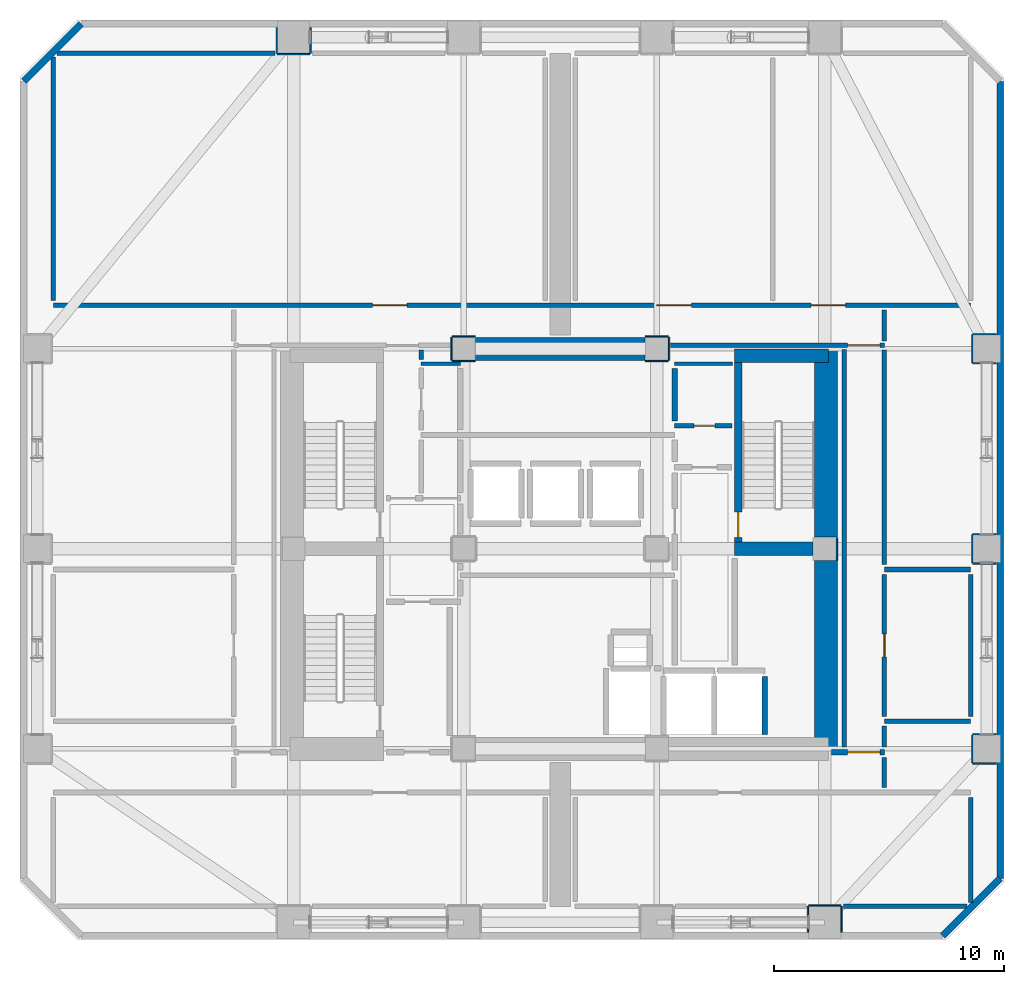
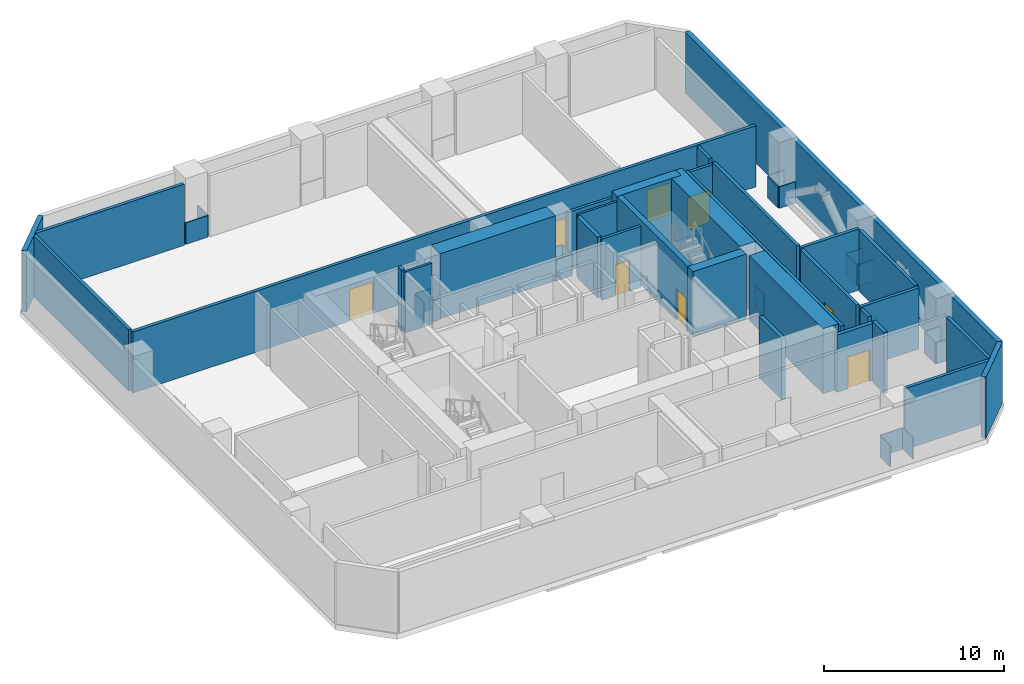
# One storey, part 9 of 11: 53 walls, 8 doors, 8 openings.
"""IFC4 building model written with IfcOpenShell, lengths in metres."""

from ifc_helpers import new_model, si_unit, direction, frame, frame_2d, origin, place, context, subcontext, project, spatial, rectangle, extrude, material, layer, layer_set, type_object, element, fill, save


model = new_model("IFC4")

# Units and contexts
model_context = context("Model", 3, precision=1e-05, world=origin(), true_north=direction((0.0, 1.0)))
body_context = subcontext(model_context, "Body", "Model", "MODEL_VIEW")
ifc_project = project(units=[si_unit("LENGTHUNIT", "METRE"), si_unit("AREAUNIT", "SQUARE_METRE"), si_unit("VOLUMEUNIT", "CUBIC_METRE"), si_unit("PLANEANGLEUNIT", "RADIAN"), si_unit("MASSUNIT", "GRAM", prefix="KILO")], contexts=[model_context])

# Site, building, storey
site_placement = place(None, origin())
site = spatial("IfcSite", under=ifc_project, at=site_placement, CompositionType="ELEMENT")
building_placement = place(site_placement, origin())
building = spatial("IfcBuilding", under=site, at=building_placement, Name="Solanera Arch Residences", CompositionType="ELEMENT")
storey_placement = place(building_placement, frame((0.0, 0.0, 88.39990234375)))
storey = spatial("IfcBuildingStorey", under=building, at=storey_placement, Name="L25", CompositionType="ELEMENT", Elevation=88.39990234375)

# Walls
ifc_material_1 = material(Name="Fire-Rated Gypsum Stud Partition", Category="gypsum")
ifc_layer_1 = layer(ifc_material_1, 0.06005859375)
ifc_layer_set_1 = layer_set([ifc_layer_1], Name="Fire-Rated Gypsum Stud Partition")
wall_type_1 = type_object("IfcWallType", Name="Column Acoustic Furring Wall 60", PredefinedType="PARTITIONING", material=ifc_layer_set_1)
for number, where, z_axis, x_axis, name in (
    (1, (20.300048828125, 38.867919921875, 0.0), (0.0, 0.0, 1.0), (1.0, 0.0, 0.0), "L25 Column Furring 3S"),
    (2, (20.300048828125, 39.931884765625, 0.0), (0.0, 0.0, 1.0), (1.0, 0.0, 0.0), "L25 Column Furring 3N"),
    (3, (20.26806640625, 38.89990234375, 0.0), (0.0, 0.0, 1.0), (0.0, 1.0, 0.0), "L25 Column Furring 3W"),
    (4, (28.699951171875, 38.867919921875, 0.0), (0.0, 0.0, 1.0), (1.0, 0.0, 0.0), "L25 Column Furring 4S"),
    (5, (28.699951171875, 39.931884765625, 0.0), (0.0, 0.0, 1.0), (1.0, 0.0, 0.0), "L25 Column Furring 4N"),
    (6, (29.73193359375, 38.89990234375, 0.0), (0.0, 0.0, 1.0), (0.0, 1.0, 0.0), "L25 Column Furring 4E"),
):
    element("IfcWall", number, at=place(storey_placement, frame(where, z_axis=z_axis, x_axis=x_axis)), inside=storey, type_object=wall_type_1, Name=name, PredefinedType="PARTITIONING", context=body_context, shape_type="SweptSolid", body=[
        extrude(rectangle(XDim=1.0, YDim=0.06005859375, at=frame_2d((0.5, 0.0))), origin(), (0.0, 0.0, 1.0), 1.4501953125),
    ])
wall_1_placement = place(storey_placement, frame((37.031982421875, 30.2099609375, 0.0), z_axis=(0.0, 0.0, 1.0), x_axis=(0.0, 1.0, 0.0)))
element("IfcWall", 7, at=wall_1_placement, inside=storey, type_object=wall_type_1, Name="L25 Column Furring 6E", PredefinedType="PARTITIONING", context=body_context, shape_type="SweptSolid", body=[
    extrude(rectangle(XDim=0.97998046875, YDim=0.06005859375, at=frame_2d((0.489990234375, 0.0))), origin(), (0.0, 0.0, 1.0), 1.4501953125),
])
wall_2_placement = place(storey_placement, frame((12.699951171875, 52.218017578125, 0.0), z_axis=(0.0, 0.0, 1.0), x_axis=(1.0, 0.0, 0.0)))
element("IfcWall", 8, at=wall_2_placement, inside=storey, type_object=wall_type_1, Name="L25 Column Furring 10S", PredefinedType="PARTITIONING", context=body_context, shape_type="SweptSolid", body=[
    extrude(rectangle(XDim=1.400146484375, YDim=0.06005859375, at=frame_2d((0.7001953125, 0.0))), origin(), (0.0, 0.0, 1.0), 1.4501953125),
])
for number, where, z_axis, x_axis, name in (
    (9, (12.66796875, 52.25, 0.0), (0.0, 0.0, 1.0), (0.0, 1.0, 0.0), "L25 Column Furring 10W"),
    (10, (14.132080078125, 52.25, 0.0), (0.0, 0.0, 1.0), (0.0, 1.0, 0.0), "L25 Column Furring 10E"),
):
    element("IfcWall", number, at=place(storey_placement, frame(where, z_axis=z_axis, x_axis=x_axis)), inside=storey, type_object=wall_type_1, Name=name, PredefinedType="PARTITIONING", context=body_context, shape_type="SweptSolid", body=[
        extrude(rectangle(XDim=1.1201171875, YDim=0.06005859375, at=frame_2d((0.56005859375, 0.0))), origin(), (0.0, 0.0, 1.0), 1.4501953125),
    ])
wall_3_placement = place(storey_placement, frame((35.800048828125, 15.181884765625, 0.0), z_axis=(0.0, 0.0, 1.0), x_axis=(1.0, 0.0, 0.0)))
element("IfcWall", 11, at=wall_3_placement, inside=storey, type_object=wall_type_1, Name="L25 Column Furring 15N", PredefinedType="PARTITIONING", context=body_context, shape_type="SweptSolid", body=[
    extrude(rectangle(XDim=1.39990234375, YDim=0.06005859375, at=frame_2d((0.699951171875, 0.0))), origin(), (0.0, 0.0, 1.0), 1.4501953125),
])
for number, where, z_axis, x_axis, name in (
    (12, (35.76806640625, 14.030029296875, 0.0), (0.0, 0.0, 1.0), (0.0, 1.0, 0.0), "L25 Column Furring 15W"),
    (13, (37.23193359375, 14.030029296875, 0.0), (0.0, 0.0, 1.0), (0.0, 1.0, 0.0), "L25 Column Furring 15E"),
):
    element("IfcWall", number, at=place(storey_placement, frame(where, z_axis=z_axis, x_axis=x_axis)), inside=storey, type_object=wall_type_1, Name=name, PredefinedType="PARTITIONING", context=body_context, shape_type="SweptSolid", body=[
        extrude(rectangle(XDim=1.119873046875, YDim=0.06005859375, at=frame_2d((0.56005859375, 0.0))), origin(), (0.0, 0.0, 1.0), 1.4501953125),
    ])
for number, where, z_axis, x_axis, name in (
    (14, (42.949951171875, 21.367919921875, 0.0), (0.0, 0.0, 1.0), (1.0, 0.0, 0.0), "L25 Column Furring 18S"),
    (15, (42.949951171875, 22.632080078125, 0.0), (0.0, 0.0, 1.0), (1.0, 0.0, 0.0), "L25 Column Furring 18N"),
):
    element("IfcWall", number, at=place(storey_placement, frame(where, z_axis=z_axis, x_axis=x_axis)), inside=storey, type_object=wall_type_1, Name=name, PredefinedType="PARTITIONING", context=body_context, shape_type="SweptSolid", body=[
        extrude(rectangle(XDim=1.02001953125, YDim=0.06005859375, at=frame_2d((0.510009765625, 0.0))), origin(), (0.0, 0.0, 1.0), 1.4501953125),
    ])
wall_4_placement = place(storey_placement, frame((42.91796875, 21.39990234375, 0.0), z_axis=(0.0, 0.0, 1.0), x_axis=(0.0, 1.0, 0.0)))
element("IfcWall", 16, at=wall_4_placement, inside=storey, type_object=wall_type_1, Name="L25 Column Furring 18W", PredefinedType="PARTITIONING", context=body_context, shape_type="SweptSolid", body=[
    extrude(rectangle(XDim=1.2001953125, YDim=0.06005859375, at=frame_2d((0.60009765625, 0.0))), origin(), (0.0, 0.0, 1.0), 1.4501953125),
])
for number, where, z_axis, x_axis, name in (
    (17, (42.949951171875, 30.068115234375, 0.0), (0.0, 0.0, 1.0), (1.0, 0.0, 0.0), "L25 Column Furring 20S"),
    (18, (42.949951171875, 31.33203125, 0.0), (0.0, 0.0, 1.0), (1.0, 0.0, 0.0), "L25 Column Furring 20N"),
):
    element("IfcWall", number, at=place(storey_placement, frame(where, z_axis=z_axis, x_axis=x_axis)), inside=storey, type_object=wall_type_1, Name=name, PredefinedType="PARTITIONING", context=body_context, shape_type="SweptSolid", body=[
        extrude(rectangle(XDim=1.02001953125, YDim=0.06005859375, at=frame_2d((0.510009765625, 0.0))), origin(), (0.0, 0.0, 1.0), 1.4501953125),
    ])
wall_5_placement = place(storey_placement, frame((42.91796875, 30.10009765625, 0.0), z_axis=(0.0, 0.0, 1.0), x_axis=(0.0, 1.0, 0.0)))
element("IfcWall", 19, at=wall_5_placement, inside=storey, type_object=wall_type_1, Name="L25 Column Furring 20W", PredefinedType="PARTITIONING", context=body_context, shape_type="SweptSolid", body=[
    extrude(rectangle(XDim=1.199951171875, YDim=0.06005859375, at=frame_2d((0.60009765625, 0.0))), origin(), (0.0, 0.0, 1.0), 1.4501953125),
])
for number, where, z_axis, x_axis, name in (
    (20, (42.949951171875, 38.76806640625, 0.0), (0.0, 0.0, 1.0), (1.0, 0.0, 0.0), "L25 Column Furring 22S"),
    (21, (42.949951171875, 40.031982421875, 0.0), (0.0, 0.0, 1.0), (1.0, 0.0, 0.0), "L25 Column Furring 22N"),
):
    element("IfcWall", number, at=place(storey_placement, frame(where, z_axis=z_axis, x_axis=x_axis)), inside=storey, type_object=wall_type_1, Name=name, PredefinedType="PARTITIONING", context=body_context, shape_type="SweptSolid", body=[
        extrude(rectangle(XDim=1.02001953125, YDim=0.06005859375, at=frame_2d((0.510009765625, 0.0))), origin(), (0.0, 0.0, 1.0), 1.4501953125),
    ])
wall_6_placement = place(storey_placement, frame((42.91796875, 38.800048828125, 0.0), z_axis=(0.0, 0.0, 1.0), x_axis=(0.0, 1.0, 0.0)))
element("IfcWall", 22, at=wall_6_placement, inside=storey, type_object=wall_type_1, Name="L25 Column Furring 22W", PredefinedType="PARTITIONING", context=body_context, shape_type="SweptSolid", body=[
    extrude(rectangle(XDim=1.199951171875, YDim=0.06005859375, at=frame_2d((0.60009765625, 0.0))), origin(), (0.0, 0.0, 1.0), 1.4501953125),
])
ifc_material_2 = material(Name="Concrete C55/67 (f'c = 60 MPa)", Category="concrete")
ifc_layer_2 = layer(ifc_material_2, 1.0)
ifc_layer_set_2 = layer_set([ifc_layer_2], Name="Concrete C55/67 (f'c = 60 MPa)")
wall_type_2 = type_object("IfcWallType", Name="Core Shear Wall CW-1000", PredefinedType="SHEAR", material=ifc_layer_set_2)
wall_7_placement = place(storey_placement, frame((36.56005859375, 22.0, 0.0), z_axis=(0.0, 0.0, 1.0), x_axis=(0.0, 1.0, 0.0)))
element("IfcWall", 23, at=wall_7_placement, inside=storey, type_object=wall_type_2, Name="L25 East Core South Shear Wall", PredefinedType="SHEAR", context=body_context, shape_type="SweptSolid", body=[
    extrude(rectangle(XDim=8.195068359375, YDim=1.0, at=frame_2d((4.09765625, 0.0))), origin(), (0.0, 0.0, 1.0), 4.400146484375),
])
wall_8_placement = place(storey_placement, frame((36.56005859375, 31.205078125, 0.0), z_axis=(0.0, 0.0, 1.0), x_axis=(0.0, 1.0, 0.0)))
element("IfcWall", 24, at=wall_8_placement, inside=storey, type_object=wall_type_2, Name="L25 East Core North Shear Wall", PredefinedType="SHEAR", context=body_context, shape_type="SweptSolid", body=[
    extrude(rectangle(XDim=8.19482421875, YDim=1.0, at=frame_2d((4.097412109375, 0.0))), origin(), (0.0, 0.0, 1.0), 4.400146484375),
])
wall_9_placement = place(storey_placement, frame((21.304931640625, 39.39990234375, 0.0), z_axis=(0.0, 0.0, 1.0), x_axis=(1.0, 0.0, 0.0)))
element("IfcWall", 25, at=wall_9_placement, inside=storey, type_object=wall_type_2, Name="L25 Central North Core Shear Wall", PredefinedType="SHEAR", context=body_context, shape_type="SweptSolid", body=[
    extrude(rectangle(XDim=7.39013671875, YDim=1.0, at=frame_2d((3.695068359375, 0.0))), origin(), (0.0, 0.0, 1.0), 4.400146484375),
])

# Wall, opening, door
ifc_material_3 = material(Name="Concrete C40/50 (f'c = 45 MPa)", Category="concrete")
ifc_layer_3 = layer(ifc_material_3, 0.320068359375)
ifc_layer_set_3 = layer_set([ifc_layer_3], Name="Concrete C40/50 (f'c = 45 MPa)")
wall_type_3 = type_object("IfcWallType", Name="Core Shear Wall CW-320", PredefinedType="SHEAR", material=ifc_layer_set_3)
wall_10_placement = place(storey_placement, frame((32.739990234375, 31.0, 0.0), z_axis=(0.0, 0.0, 1.0), x_axis=(0.0, 1.0, 0.0)))
wall_10 = element("IfcWall", 26, at=wall_10_placement, inside=storey, type_object=wall_type_3, Name="L25 Stair ST-T2 West Shear Wall", PredefinedType="SHEAR", context=body_context, shape_type="SweptSolid", body=[
    extrude(rectangle(XDim=7.800048828125, YDim=0.320068359375, at=frame_2d((3.89990234375, 0.0))), origin(), (0.0, 0.0, 1.0), 4.400146484375),
])
opening_1_placement = place(wall_10_placement, frame((0.18994140625, 0.0, 0.0)))
opening_1 = element("IfcOpeningElement", 27, at=opening_1_placement, cuts=wall_10, Name="Opening DF-01", PredefinedType="OPENING", context=body_context, shape_type="SweptSolid", body=[
    extrude(rectangle(XDim=1.10009765625, YDim=2.14990234375, at=frame_2d((0.550048828125, 1.074951171875))), frame((0.0, 0.169921875, 0.0), z_axis=(0.0, -1.0, 0.0), x_axis=(1.0, 0.0, 0.0)), (0.0, 0.0, 1.0), 0.3401),
])
ifc_material_4 = material(Name="Fire-Rated Architectural Hardwood", Category="wood")
door_type_1 = type_object("IfcDoorType", Name="Stair Exit Fire Door DF-01", OperationType="NOTDEFINED", PredefinedType="DOOR", material=ifc_material_4)
door_1_placement = place(opening_1_placement, origin())
door_1 = element("IfcDoor", 28, at=door_1_placement, inside=storey, type_object=door_type_1, Name="DR-L25-STAIR-ST-T2", OperationType="SINGLE_SWING_RIGHT", OverallHeight=2.14990234375, OverallWidth=1.10009765625, PredefinedType="DOOR", context=body_context, shape_type="SweptSolid", body=[
    extrude(rectangle(XDim=1.10009765625, YDim=2.14990234375, at=frame_2d((0.550048828125, 1.074951171875))), frame((0.0, 0.02490234375, 0.0), z_axis=(0.0, -1.0, 0.0), x_axis=(1.0, 0.0, 0.0)), (0.0, 0.0, 1.0), 0.050048828125),
])
fill(opening_1, door_1)

# Walls
ifc_material_5 = material(Name="Concrete C40/50 (f'c = 45 MPa)", Category="concrete")
ifc_layer_4 = layer(ifc_material_5, 0.60009765625)
ifc_layer_set_4 = layer_set([ifc_layer_4], Name="Concrete C40/50 (f'c = 45 MPa)")
wall_type_4 = type_object("IfcWallType", Name="Core Shear Wall CW-600", PredefinedType="SHEAR", material=ifc_layer_set_4)
wall_11_placement = place(storey_placement, frame((32.580078125, 39.10009765625, 0.0), z_axis=(0.0, 0.0, 1.0), x_axis=(1.0, 0.0, 0.0)))
element("IfcWall", 29, at=wall_11_placement, inside=storey, type_object=wall_type_4, Name="L25 North-East Core Shear Wall", PredefinedType="SHEAR", context=body_context, shape_type="SweptSolid", body=[
    extrude(rectangle(XDim=4.079833984375, YDim=0.60009765625, at=frame_2d((2.0400390625, 0.0))), origin(), (0.0, 0.0, 1.0), 4.400146484375),
])
wall_12_placement = place(storey_placement, frame((32.580078125, 30.699951171875, 0.0), z_axis=(0.0, 0.0, 1.0), x_axis=(1.0, 0.0, 0.0)))
element("IfcWall", 30, at=wall_12_placement, inside=storey, type_object=wall_type_4, Name="L25 East Stair Far-Landing Shear Wall", PredefinedType="SHEAR", context=body_context, shape_type="SweptSolid", body=[
    extrude(rectangle(XDim=3.4150390625, YDim=0.60009765625, at=frame_2d((1.70751953125, 0.0))), origin(), (0.0, 0.0, 1.0), 4.400146484375),
])

# Wall, opening, door
ifc_material_6 = material(Name="Autoclaved Aerated Concrete Blockwork", Category="masonry")
ifc_layer_5 = layer(ifc_material_6, 0.179931640625)
ifc_layer_set_5 = layer_set([ifc_layer_5], Name="Autoclaved Aerated Concrete Blockwork")
wall_type_5 = type_object("IfcWallType", Name="Corridor Fire Partition 180", PredefinedType="PARTITIONING", material=ifc_layer_set_5)
wall_13_placement = place(storey_placement, frame((29.97509765625, 36.050048828125, 0.0), z_axis=(0.0, 0.0, 1.0), x_axis=(1.0, 0.0, 0.0)))
wall_13 = element("IfcWall", 31, at=wall_13_placement, inside=storey, type_object=wall_type_5, Name="L25 Interior Partition H18", PredefinedType="PARTITIONING", context=body_context, shape_type="SweptSolid", body=[
    extrude(rectangle(XDim=2.5048828125, YDim=0.179931640625, at=frame_2d((1.25244140625, 0.0))), origin(), (0.0, 0.0, 1.0), 4.14013671875),
])
opening_2_placement = place(wall_13_placement, frame((0.85205078125, 0.0, 0.0)))
opening_2 = element("IfcOpeningElement", 32, at=opening_2_placement, cuts=wall_13, Name="Opening DI-02", PredefinedType="OPENING", context=body_context, shape_type="SweptSolid", body=[
    extrude(rectangle(XDim=0.89990234375, YDim=2.10009765625, at=frame_2d((0.449951171875, 1.050048828125))), frame((0.0, 0.10009765625, 0.0), z_axis=(0.0, -1.0, 0.0), x_axis=(1.0, 0.0, 0.0)), (0.0, 0.0, 1.0), 0.1999),
])
ifc_material_7 = material(Name="Fire-Rated Architectural Hardwood", Category="wood")
door_type_2 = type_object("IfcDoorType", Name="Suite Room Swing Door DI-02", OperationType="NOTDEFINED", PredefinedType="DOOR", material=ifc_material_7)
door_2_placement = place(opening_2_placement, origin())
door_2 = element("IfcDoor", 33, at=door_2_placement, inside=storey, type_object=door_type_2, Name="DR-L25-IN-015", OperationType="SINGLE_SWING_LEFT", OverallHeight=2.10009765625, OverallWidth=0.89990234375, PredefinedType="DOOR", context=body_context, shape_type="SweptSolid", body=[
    extrude(rectangle(XDim=0.89990234375, YDim=2.10009765625, at=frame_2d((0.449951171875, 1.050048828125))), frame((0.0, 0.02490234375, 0.0), z_axis=(0.0, -1.0, 0.0), x_axis=(1.0, 0.0, 0.0)), (0.0, 0.0, 1.0), 0.050048828125),
])
fill(opening_2, door_2)

wall_14_placement = place(storey_placement, frame((29.802001953125, 39.550048828125, 0.0), z_axis=(0.0, 0.0, 1.0), x_axis=(1.0, 0.0, 0.0)))
wall_14 = element("IfcWall", 34, at=wall_14_placement, inside=storey, type_object=wall_type_5, Name="L25 Interior Partition H19 2", PredefinedType="PARTITIONING", context=body_context, shape_type="SweptSolid", body=[
    extrude(rectangle(XDim=9.298095703125, YDim=0.179931640625, at=frame_2d((4.64892578125, 0.0))), origin(), (0.0, 0.0, 1.0), 3.878173828125),
])
opening_3_placement = place(wall_14_placement, frame((7.698974609375, 0.0, 0.0)))
opening_3 = element("IfcOpeningElement", 35, at=opening_3_placement, cuts=wall_14, Name="Opening DF-03", PredefinedType="OPENING", context=body_context, shape_type="SweptSolid", body=[
    extrude(rectangle(XDim=1.39990234375, YDim=2.14990234375, at=frame_2d((0.699951171875, 1.074951171875))), frame((0.0, 0.10009765625, 0.0), z_axis=(0.0, -1.0, 0.0), x_axis=(1.0, 0.0, 0.0)), (0.0, 0.0, 1.0), 0.1999),
])
ifc_material_8 = material(Name="Fire-Rated Architectural Hardwood", Category="wood")
door_type_3 = type_object("IfcDoorType", Name="Corridor Smoke Door DF-03", OperationType="NOTDEFINED", PredefinedType="DOOR", material=ifc_material_8)
door_3_placement = place(opening_3_placement, origin())
door_3 = element("IfcDoor", 36, at=door_3_placement, inside=storey, type_object=door_type_3, Name="DR-L25-IN-013", OperationType="SINGLE_SWING_LEFT", OverallHeight=2.14990234375, OverallWidth=1.39990234375, PredefinedType="DOOR", context=body_context, shape_type="SweptSolid", body=[
    extrude(rectangle(XDim=1.39990234375, YDim=2.14990234375, at=frame_2d((0.699951171875, 1.074951171875))), frame((0.0, 0.02490234375, 0.0), z_axis=(0.0, -1.0, 0.0), x_axis=(1.0, 0.0, 0.0)), (0.0, 0.0, 1.0), 0.050048828125),
])
fill(opening_3, door_3)

# Walls
wall_15_placement = place(storey_placement, frame((37.35009765625, 22.068115234375, 0.0), z_axis=(0.0, 0.0, 1.0), x_axis=(0.0, 1.0, 0.0)))
element("IfcWall", 37, at=wall_15_placement, inside=storey, type_object=wall_type_5, Name="L25 Interior Partition V21", PredefinedType="PARTITIONING", context=body_context, shape_type="SweptSolid", body=[
    extrude(rectangle(XDim=17.2939453125, YDim=0.179931640625, at=frame_2d((8.64697265625, 0.0))), origin(), (0.0, 0.0, 1.0), 4.14013671875),
])
ifc_material_9 = material(Name="Precast Concrete C35/45", Category="concrete")
ifc_layer_6 = layer(ifc_material_9, 0.300048828125)
ifc_layer_set_6 = layer_set([ifc_layer_6], Name="Precast Concrete C35/45")
wall_type_6 = type_object("IfcWallType", Name="Exterior Wall Precast Masonry-Frame 300", PredefinedType="STANDARD", material=ifc_layer_set_6)
wall_16_placement = place(storey_placement, frame((1.6650390625, 51.034912109375, 0.0), z_axis=(0.0, 0.0, 1.0), x_axis=(0.707106781187, 0.707106781187, 0.0)))
element("IfcWall", 38, at=wall_16_placement, inside=storey, type_object=wall_type_6, Name="L25 Tower Exterior Precast Masonry-Frame Wall CH1", PredefinedType="STANDARD", context=body_context, shape_type="SweptSolid", body=[
    extrude(rectangle(XDim=3.53564453125, YDim=0.300048828125, at=frame_2d((1.767822265625, 0.0))), origin(), (0.0, 0.0, 1.0), 4.14013671875),
])
wall_17_placement = place(storey_placement, frame((44.135009765625, 51.034912109375, 0.0), z_axis=(0.0, 0.0, 1.0), x_axis=(0.0, -1.0, 0.0)))
element("IfcWall", 39, at=wall_17_placement, inside=storey, type_object=wall_type_6, Name="L25 Tower Exterior Precast Masonry-Frame Wall E", PredefinedType="STANDARD", context=body_context, shape_type="SweptSolid", body=[
    extrude(rectangle(XDim=34.669921875, YDim=0.300048828125, at=frame_2d((17.3349609375, 0.0))), origin(), (0.0, 0.0, 1.0), 4.14013671875),
])
wall_18_placement = place(storey_placement, frame((44.135009765625, 16.364990234375, 0.0), z_axis=(0.0, 0.0, 1.0), x_axis=(-0.707106781187, -0.707106781187, 0.0)))
element("IfcWall", 40, at=wall_18_placement, inside=storey, type_object=wall_type_6, Name="L25 Tower Exterior Precast Masonry-Frame Wall CH5", PredefinedType="STANDARD", context=body_context, shape_type="SweptSolid", body=[
    extrude(rectangle(XDim=3.53564453125, YDim=0.300048828125, at=frame_2d((1.767822265625, 0.0))), origin(), (0.0, 0.0, 1.0), 4.14013671875),
])
ifc_material_10 = material(Name="Autoclaved Aerated Concrete Blockwork", Category="masonry")
ifc_layer_7 = layer(ifc_material_10, 0.199951171875)
ifc_layer_set_7 = layer_set([ifc_layer_7], Name="Autoclaved Aerated Concrete Blockwork")
wall_type_7 = type_object("IfcWallType", Name="Party Wall Acoustic 200", PredefinedType="PARTITIONING", material=ifc_layer_set_7)
wall_19_placement = place(storey_placement, frame((37.31201171875, 15.14990234375, 0.0), z_axis=(0.0, 0.0, 1.0), x_axis=(1.0, 0.0, 0.0)))
element("IfcWall", 41, at=wall_19_placement, inside=storey, type_object=wall_type_7, Name="L25 Interior Partition H7 3", PredefinedType="PARTITIONING", context=body_context, shape_type="SweptSolid", body=[
    extrude(rectangle(XDim=5.37890625, YDim=0.199951171875, at=frame_2d((2.689453125, 0.0))), origin(), (0.0, 0.0, 1.0), 4.14013671875),
])
for number, where, z_axis, x_axis, name in (
    (42, (39.10009765625, 23.199951171875, 0.0), (0.0, 0.0, 1.0), (1.0, 0.0, 0.0), "L25 Interior Partition H10"),
    (43, (39.10009765625, 29.800048828125, 0.0), (0.0, 0.0, 1.0), (1.0, 0.0, 0.0), "L25 Interior Partition H12"),
):
    element("IfcWall", number, at=place(storey_placement, frame(where, z_axis=z_axis, x_axis=x_axis)), inside=storey, type_object=wall_type_7, Name=name, PredefinedType="PARTITIONING", context=body_context, shape_type="SweptSolid", body=[
        extrude(rectangle(XDim=3.75, YDim=0.199951171875, at=frame_2d((1.875, 0.0))), origin(), (0.0, 0.0, 1.0), 4.14013671875),
    ])

# Wall, openings, doors
wall_20_placement = place(storey_placement, frame((2.949951171875, 41.300048828125, 0.0), z_axis=(0.0, 0.0, 1.0), x_axis=(1.0, 0.0, 0.0)))
wall_20 = element("IfcWall", 44, at=wall_20_placement, inside=storey, type_object=wall_type_7, Name="L25 Interior Partition H14", PredefinedType="PARTITIONING", context=body_context, shape_type="SweptSolid", body=[
    extrude(rectangle(XDim=39.900146484375, YDim=0.199951171875, at=frame_2d((19.9501953125, 0.0))), origin(), (0.0, 0.0, 1.0), 4.14013671875),
])
opening_4_placement = place(wall_20_placement, frame((26.25, 0.0, 0.0)))
opening_4 = element("IfcOpeningElement", 45, at=opening_4_placement, cuts=wall_20, Name="Opening DP-01", PredefinedType="OPENING", context=body_context, shape_type="SweptSolid", body=[
    extrude(rectangle(XDim=1.5, YDim=2.14990234375, at=frame_2d((0.75, 1.074951171875))), frame((0.0, 0.110107421875, 0.0), z_axis=(0.0, -1.0, 0.0), x_axis=(1.0, 0.0, 0.0)), (0.0, 0.0, 1.0), 0.22),
])
opening_5_placement = place(wall_20_placement, frame((32.965087890625, 0.0, 0.0)))
opening_5 = element("IfcOpeningElement", 46, at=opening_5_placement, cuts=wall_20, Name="Opening DP-01", PredefinedType="OPENING", context=body_context, shape_type="SweptSolid", body=[
    extrude(rectangle(XDim=1.5, YDim=2.14990234375, at=frame_2d((0.75, 1.074951171875))), frame((0.0, 0.110107421875, 0.0), z_axis=(0.0, -1.0, 0.0), x_axis=(1.0, 0.0, 0.0)), (0.0, 0.0, 1.0), 0.22),
])
opening_6_placement = place(wall_20_placement, frame((13.885009765625, 0.0, 0.0)))
opening_6 = element("IfcOpeningElement", 47, at=opening_6_placement, cuts=wall_20, Name="Opening DP-01", PredefinedType="OPENING", context=body_context, shape_type="SweptSolid", body=[
    extrude(rectangle(XDim=1.5, YDim=2.14990234375, at=frame_2d((0.75, 1.074951171875))), frame((0.0, 0.110107421875, 0.0), z_axis=(0.0, -1.0, 0.0), x_axis=(1.0, 0.0, 0.0)), (0.0, 0.0, 1.0), 0.22),
])
ifc_material_11 = material(Name="Fire-Rated Architectural Hardwood", Category="wood")
door_type_4 = type_object("IfcDoorType", Name="Plant Double Fire Door DP-01", OperationType="NOTDEFINED", PredefinedType="DOOR", material=ifc_material_11)
door_4_placement = place(opening_4_placement, origin())
door_4 = element("IfcDoor", 48, at=door_4_placement, inside=storey, type_object=door_type_4, Name="DR-L25-IN-020", OperationType="SINGLE_SWING_RIGHT", OverallHeight=2.14990234375, OverallWidth=1.5, PredefinedType="DOOR", context=body_context, shape_type="SweptSolid", body=[
    extrude(rectangle(XDim=1.5, YDim=2.14990234375, at=frame_2d((0.75, 1.074951171875))), frame((0.0, 0.02490234375, 0.0), z_axis=(0.0, -1.0, 0.0), x_axis=(1.0, 0.0, 0.0)), (0.0, 0.0, 1.0), 0.050048828125),
])
fill(opening_4, door_4)
door_5_placement = place(opening_5_placement, origin())
door_5 = element("IfcDoor", 49, at=door_5_placement, inside=storey, type_object=door_type_4, Name="DR-L25-IN-021", OperationType="SINGLE_SWING_LEFT", OverallHeight=2.14990234375, OverallWidth=1.5, PredefinedType="DOOR", context=body_context, shape_type="SweptSolid", body=[
    extrude(rectangle(XDim=1.5, YDim=2.14990234375, at=frame_2d((0.75, 1.074951171875))), frame((0.0, 0.02490234375, 0.0), z_axis=(0.0, -1.0, 0.0), x_axis=(1.0, 0.0, 0.0)), (0.0, 0.0, 1.0), 0.050048828125),
])
fill(opening_5, door_5)
door_6_placement = place(opening_6_placement, origin())
door_6 = element("IfcDoor", 50, at=door_6_placement, inside=storey, type_object=door_type_4, Name="DR-L25-IN-023", OperationType="SINGLE_SWING_LEFT", OverallHeight=2.14990234375, OverallWidth=1.5, PredefinedType="DOOR", context=body_context, shape_type="SweptSolid", body=[
    extrude(rectangle(XDim=1.5, YDim=2.14990234375, at=frame_2d((0.75, 1.074951171875))), frame((0.0, 0.02490234375, 0.0), z_axis=(0.0, -1.0, 0.0), x_axis=(1.0, 0.0, 0.0)), (0.0, 0.0, 1.0), 0.050048828125),
])
fill(opening_6, door_6)

# Walls
wall_21_placement = place(storey_placement, frame((3.10888671875, 52.25, 0.0), z_axis=(0.0, 0.0, 1.0), x_axis=(1.0, 0.0, 0.0)))
element("IfcWall", 51, at=wall_21_placement, inside=storey, type_object=wall_type_7, Name="L25 Interior Partition H15 1", PredefinedType="PARTITIONING", context=body_context, shape_type="SweptSolid", body=[
    extrude(rectangle(XDim=9.47900390625, YDim=0.199951171875, at=frame_2d((4.739501953125, 0.0))), origin(), (0.0, 0.0, 1.0), 4.14013671875),
])
wall_22_placement = place(storey_placement, frame((2.949951171875, 41.508056640625, 0.0), z_axis=(0.0, 0.0, 1.0), x_axis=(0.0, 1.0, 0.0)))
element("IfcWall", 52, at=wall_22_placement, inside=storey, type_object=wall_type_7, Name="L25 Interior Partition V8", PredefinedType="PARTITIONING", context=body_context, shape_type="SweptSolid", body=[
    extrude(rectangle(XDim=10.5830078125, YDim=0.199951171875, at=frame_2d((5.29150390625, 0.0))), origin(), (0.0, 0.0, 1.0), 4.14013671875),
])
wall_23_placement = place(storey_placement, frame((18.949951171875, 38.927978515625, 0.0), z_axis=(0.0, 0.0, 1.0), x_axis=(0.0, 1.0, 0.0)))
element("IfcWall", 53, at=wall_23_placement, inside=storey, type_object=wall_type_7, Name="L25 Interior Partition V10 3", PredefinedType="PARTITIONING", context=body_context, shape_type="SweptSolid", body=[
    extrude(rectangle(XDim=0.424072265625, YDim=0.199951171875, at=frame_2d((0.2119140625, 0.0))), origin(), (0.0, 0.0, 1.0), 4.14013671875),
])
wall_24_placement = place(storey_placement, frame((39.10009765625, 20.30810546875, 0.0), z_axis=(0.0, 0.0, 1.0), x_axis=(0.0, 1.0, 0.0)))
element("IfcWall", 54, at=wall_24_placement, inside=storey, type_object=wall_type_7, Name="L25 Interior Partition V16 1", PredefinedType="PARTITIONING", context=body_context, shape_type="SweptSolid", body=[
    extrude(rectangle(XDim=1.31396484375, YDim=0.199951171875, at=frame_2d((0.656982421875, 0.0))), origin(), (0.0, 0.0, 1.0), 4.14013671875),
])
wall_25_placement = place(storey_placement, frame((39.10009765625, 22.077880859375, 0.0), z_axis=(0.0, 0.0, 1.0), x_axis=(0.0, 1.0, 0.0)))
element("IfcWall", 55, at=wall_25_placement, inside=storey, type_object=wall_type_7, Name="L25 Interior Partition V16 2", PredefinedType="PARTITIONING", context=body_context, shape_type="SweptSolid", body=[
    extrude(rectangle(XDim=0.9140625, YDim=0.199951171875, at=frame_2d((0.45703125, 0.0))), origin(), (0.0, 0.0, 1.0), 4.14013671875),
])

# Wall, opening, door
wall_26_placement = place(storey_placement, frame((39.10009765625, 23.407958984375, 0.0), z_axis=(0.0, 0.0, 1.0), x_axis=(0.0, 1.0, 0.0)))
wall_26 = element("IfcWall", 56, at=wall_26_placement, inside=storey, type_object=wall_type_7, Name="L25 Interior Partition V16 3", PredefinedType="PARTITIONING", context=body_context, shape_type="SweptSolid", body=[
    extrude(rectangle(XDim=6.18408203125, YDim=0.199951171875, at=frame_2d((3.092041015625, 0.0))), origin(), (0.0, 0.0, 1.0), 4.14013671875),
])
opening_7_placement = place(wall_26_placement, frame((2.592041015625, 0.0, 0.0)))
opening_7 = element("IfcOpeningElement", 57, at=opening_7_placement, cuts=wall_26, Name="Opening DI-01", PredefinedType="OPENING", context=body_context, shape_type="SweptSolid", body=[
    extrude(rectangle(XDim=1.0, YDim=2.14990234375, at=frame_2d((0.5, 1.074951171875))), frame((0.0, 0.110107421875, 0.0), z_axis=(0.0, -1.0, 0.0), x_axis=(1.0, 0.0, 0.0)), (0.0, 0.0, 1.0), 0.22),
])
ifc_material_12 = material(Name="Fire-Rated Architectural Hardwood", Category="wood")
door_type_5 = type_object("IfcDoorType", Name="Unit Entrance Fire Door DI-01", OperationType="NOTDEFINED", PredefinedType="DOOR", material=ifc_material_12)
door_7_placement = place(opening_7_placement, origin())
door_7 = element("IfcDoor", 58, at=door_7_placement, inside=storey, type_object=door_type_5, Name="DR-L25-IN-018", OperationType="SINGLE_SWING_RIGHT", OverallHeight=2.14990234375, OverallWidth=1.0, PredefinedType="DOOR", context=body_context, shape_type="SweptSolid", body=[
    extrude(rectangle(XDim=1.0, YDim=2.14990234375, at=frame_2d((0.5, 1.074951171875))), frame((0.0, 0.02490234375, 0.0), z_axis=(0.0, -1.0, 0.0), x_axis=(1.0, 0.0, 0.0)), (0.0, 0.0, 1.0), 0.050048828125),
])
fill(opening_7, door_7)

# Walls
wall_27_placement = place(storey_placement, frame((39.10009765625, 30.008056640625, 0.0), z_axis=(0.0, 0.0, 1.0), x_axis=(0.0, 1.0, 0.0)))
element("IfcWall", 59, at=wall_27_placement, inside=storey, type_object=wall_type_7, Name="L25 Interior Partition V16 4", PredefinedType="PARTITIONING", context=body_context, shape_type="SweptSolid", body=[
    extrude(rectangle(XDim=9.343994140625, YDim=0.199951171875, at=frame_2d((4.671875, 0.0))), origin(), (0.0, 0.0, 1.0), 4.14013671875),
])
wall_28_placement = place(storey_placement, frame((39.10009765625, 39.748046875, 0.0), z_axis=(0.0, 0.0, 1.0), x_axis=(0.0, 1.0, 0.0)))
element("IfcWall", 60, at=wall_28_placement, inside=storey, type_object=wall_type_7, Name="L25 Interior Partition V16 5", PredefinedType="PARTITIONING", context=body_context, shape_type="SweptSolid", body=[
    extrude(rectangle(XDim=1.343994140625, YDim=0.199951171875, at=frame_2d((0.671875, 0.0))), origin(), (0.0, 0.0, 1.0), 4.14013671875),
])
wall_29_placement = place(storey_placement, frame((42.85009765625, 15.30908203125, 0.0), z_axis=(0.0, 0.0, 1.0), x_axis=(0.0, 1.0, 0.0)))
element("IfcWall", 61, at=wall_29_placement, inside=storey, type_object=wall_type_7, Name="L25 Interior Partition V17", PredefinedType="PARTITIONING", context=body_context, shape_type="SweptSolid", body=[
    extrude(rectangle(XDim=4.5830078125, YDim=0.199951171875, at=frame_2d((2.29150390625, 0.0))), origin(), (0.0, 0.0, 1.0), 4.14013671875),
])
wall_30_placement = place(storey_placement, frame((42.85009765625, 23.407958984375, 0.0), z_axis=(0.0, 0.0, 1.0), x_axis=(0.0, 1.0, 0.0)))
element("IfcWall", 62, at=wall_30_placement, inside=storey, type_object=wall_type_7, Name="L25 Interior Partition V18", PredefinedType="PARTITIONING", context=body_context, shape_type="SweptSolid", body=[
    extrude(rectangle(XDim=6.18408203125, YDim=0.199951171875, at=frame_2d((3.092041015625, 0.0))), origin(), (0.0, 0.0, 1.0), 4.14013671875),
])
ifc_material_13 = material(Name="Autoclaved Aerated Concrete Blockwork", Category="masonry")
ifc_layer_8 = layer(ifc_material_13, 0.239990234375)
ifc_layer_set_8 = layer_set([ifc_layer_8], Name="Autoclaved Aerated Concrete Blockwork")
wall_type_8 = type_object("IfcWallType", Name="Shaft Wall Fire-Rated 240", PredefinedType="PARTITIONING", material=ifc_layer_set_8)
wall_31_placement = place(storey_placement, frame((33.89990234375, 22.6298828125, 0.0), z_axis=(0.0, 0.0, 1.0), x_axis=(0.0, 1.0, 0.0)))
element("IfcWall", 63, at=wall_31_placement, inside=storey, type_object=wall_type_8, Name="L25 Lift FFL-2 Hoistway Wall E", PredefinedType="PARTITIONING", context=body_context, shape_type="SweptSolid", body=[
    extrude(rectangle(XDim=2.522216796875, YDim=0.239990234375, at=frame_2d((1.26123046875, 0.0))), origin(), (0.0, 0.0, 1.0), 4.14013671875),
])

# Wall, opening, door
wall_32_placement = place(storey_placement, frame((36.7900390625, 21.85009765625, 0.0), z_axis=(0.0, 0.0, 1.0), x_axis=(1.0, 0.0, 0.0)))
wall_32 = element("IfcWall", 64, at=wall_32_placement, inside=storey, type_object=wall_type_8, Name="L25 Interior Partition H1 3", PredefinedType="PARTITIONING", context=body_context, shape_type="SweptSolid", body=[
    extrude(rectangle(XDim=2.31005859375, YDim=0.239990234375, at=frame_2d((1.155029296875, 0.0))), origin(), (0.0, 0.0, 1.0), 3.878173828125),
])
opening_8_placement = place(wall_32_placement, frame((0.7109375, 0.0, 0.0)))
opening_8 = element("IfcOpeningElement", 65, at=opening_8_placement, cuts=wall_32, Name="Opening DF-03", PredefinedType="OPENING", context=body_context, shape_type="SweptSolid", body=[
    extrude(rectangle(XDim=1.39990234375, YDim=2.14990234375, at=frame_2d((0.699951171875, 1.074951171875))), frame((0.0, 0.1298828125, 0.0), z_axis=(0.0, -1.0, 0.0), x_axis=(1.0, 0.0, 0.0)), (0.0, 0.0, 1.0), 0.26),
])
door_8_placement = place(opening_8_placement, origin())
door_8 = element("IfcDoor", 66, at=door_8_placement, inside=storey, type_object=door_type_3, Name="DR-L25-IN-011", OperationType="SINGLE_SWING_LEFT", OverallHeight=2.14990234375, OverallWidth=1.39990234375, PredefinedType="DOOR", context=body_context, shape_type="SweptSolid", body=[
    extrude(rectangle(XDim=1.39990234375, YDim=2.14990234375, at=frame_2d((0.699951171875, 1.074951171875))), frame((0.0, 0.02490234375, 0.0), z_axis=(0.0, -1.0, 0.0), x_axis=(1.0, 0.0, 0.0)), (0.0, 0.0, 1.0), 0.050048828125),
])
fill(opening_8, door_8)

# Walls
wall_33_placement = place(storey_placement, frame((29.97509765625, 36.26806640625, 0.0), z_axis=(0.0, 0.0, 1.0), x_axis=(0.0, 1.0, 0.0)))
element("IfcWall", 67, at=wall_33_placement, inside=storey, type_object=wall_type_8, Name="L25 Interior Partition V4 4", PredefinedType="PARTITIONING", context=body_context, shape_type="SweptSolid", body=[
    extrude(rectangle(XDim=2.283935546875, YDim=0.239990234375, at=frame_2d((1.14208984375, 0.0))), origin(), (0.0, 0.0, 1.0), 4.14013671875),
])
ifc_material_14 = material(Name="Autoclaved Aerated Concrete Blockwork", Category="masonry")
ifc_layer_9 = layer(ifc_material_14, 0.139892578125)
ifc_layer_set_9 = layer_set([ifc_layer_9], Name="Autoclaved Aerated Concrete Blockwork")
wall_type_9 = type_object("IfcWallType", Name="Wet-Room Partition 140", PredefinedType="PARTITIONING", material=ifc_layer_set_9)
wall_34_placement = place(storey_placement, frame((18.949951171875, 38.75, 0.0), z_axis=(0.0, 0.0, 1.0), x_axis=(1.0, 0.0, 0.0)))
element("IfcWall", 68, at=wall_34_placement, inside=storey, type_object=wall_type_9, Name="L25 Interior Partition H20", PredefinedType="PARTITIONING", context=body_context, shape_type="SweptSolid", body=[
    extrude(rectangle(XDim=1.699951171875, YDim=0.139892578125, at=frame_2d((0.85009765625, 0.0))), origin(), (0.0, 0.0, 1.0), 4.14013671875),
])
wall_35_placement = place(storey_placement, frame((29.97509765625, 38.75, 0.0), z_axis=(0.0, 0.0, 1.0), x_axis=(1.0, 0.0, 0.0)))
element("IfcWall", 69, at=wall_35_placement, inside=storey, type_object=wall_type_9, Name="L25 Interior Partition H21", PredefinedType="PARTITIONING", context=body_context, shape_type="SweptSolid", body=[
    extrude(rectangle(XDim=2.52490234375, YDim=0.139892578125, at=frame_2d((1.262451171875, 0.0))), origin(), (0.0, 0.0, 1.0), 4.14013671875),
])

save(model, "model.ifc")
